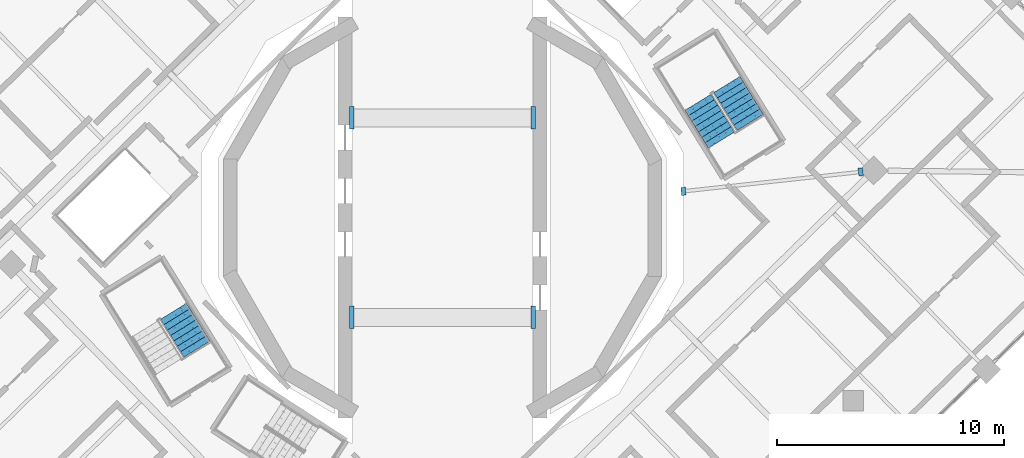
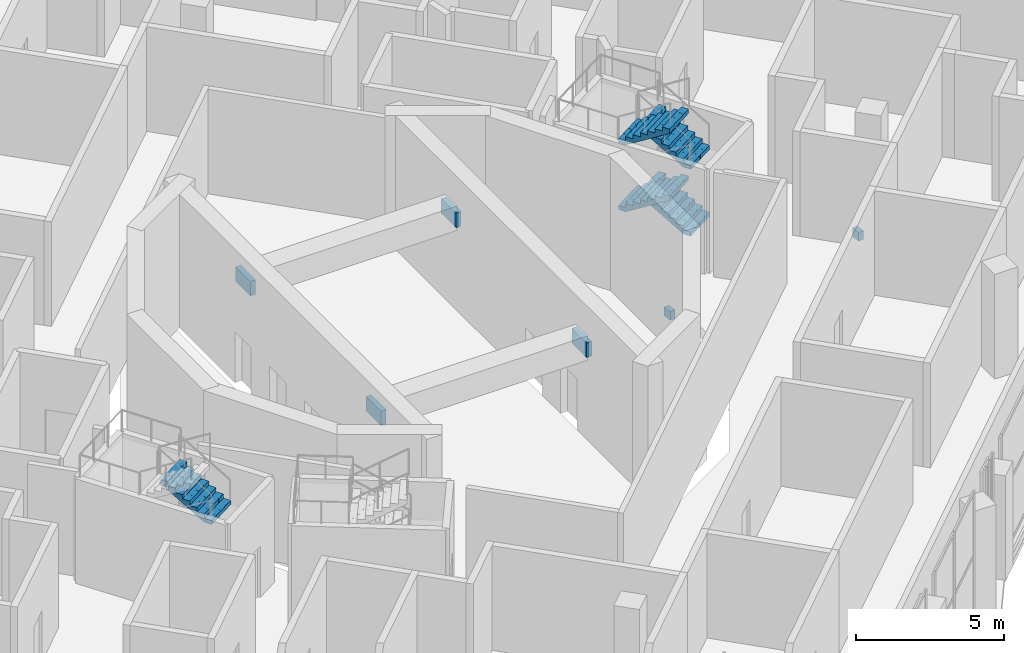
# One storey, part 17 of 20: 6 discrete accessories, 5 stair flights, 2 elements without a shape of their own.
"""IFC4 building model written with IfcOpenShell, lengths in metres."""

from ifc_helpers import new_model, si_unit, direction, frame, origin, place, context, subcontext, project, spatial, polyline, outline, extrude, material, layer, layer_set, type_object, element, aggregate, save


model = new_model("IFC4")

# Units and contexts
model_context = context("Model", 3, precision=1e-05, world=origin(), true_north=direction((0.0, 1.0)))
body_context = subcontext(model_context, "Body", "Model", "MODEL_VIEW")
ifc_project = project(units=[si_unit("LENGTHUNIT", "METRE"), si_unit("AREAUNIT", "SQUARE_METRE"), si_unit("VOLUMEUNIT", "CUBIC_METRE"), si_unit("PLANEANGLEUNIT", "RADIAN"), si_unit("MASSUNIT", "GRAM", prefix="KILO")], contexts=[model_context])

# Site, building, storey
site_placement = place(None, origin())
site = spatial("IfcSite", under=ifc_project, at=site_placement, CompositionType="ELEMENT")
building_placement = place(site_placement, origin())
building = spatial("IfcBuilding", under=site, at=building_placement, Name="Cantera Rosa Tower", CompositionType="ELEMENT")
storey_placement = place(building_placement, frame((0.0, 0.0, 245.0)))
storey = spatial("IfcBuildingStorey", under=building, at=storey_placement, Name="L54", CompositionType="ELEMENT", Elevation=245.0)

# Stair, stair flights
ifc_material_1 = material(Name="Concrete C35/45", Category="concrete")
stair_type = type_object("IfcStairType", Name="EXIT STAIR 1350 DOGLEG", PredefinedType="HALF_TURN_STAIR", material=ifc_material_1)
stair_1_placement = place(storey_placement, origin())
stair_1 = element("IfcStair", 1, at=stair_1_placement, inside=storey, type_object=stair_type, Name="L54 ST-51", PredefinedType="HALF_TURN_STAIR")
ifc_material_2 = material(Name="Concrete C35/45", Category="concrete")
stair_flight_type = type_object("IfcStairFlightType", Name="STAIR FLIGHT 1350 R32x172", PredefinedType="STRAIGHT", material=ifc_material_2)
stair_flight_1_placement = place(storey_placement, frame((13.5732421875, 4.2021484375, 0.0), z_axis=(0.0, 0.0, 1.0), x_axis=(-0.524976585286, 0.851116669383, 0.0)))
stair_flight_1 = element("IfcStairFlight", 2, at=stair_flight_1_placement, type_object=stair_flight_type, Name="ST-51 flight 1", NumberOfRisers=8, NumberOfTreads=7, PredefinedType="STRAIGHT", RiserHeight=0.171875, TreadLength=0.28, context=body_context, shape_type="SweptSolid", body=[
    extrude(outline(polyline([(0.0, 0.0), (0.0, 0.171875), (0.280029296875, 0.171875), (0.280029296875, 0.34375), (0.56005859375, 0.34375), (0.56005859375, 0.515625), (0.840087890625, 0.515625), (0.840087890625, 0.6875), (1.1201171875, 0.6875), (1.1201171875, 0.859375), (1.39990234375, 0.859375), (1.39990234375, 1.03125), (1.679931640625, 1.03125), (1.679931640625, 1.203125), (1.9599609375, 1.203125), (1.9599609375, 1.375), (1.9599609375, 1.02734375), (0.28662109375, 0.0), (0.0, 0.0)])), frame((0.0, 0.675048828125, 0.0), z_axis=(0.0, -1.0, 0.0), x_axis=(1.0, 0.0, 0.0)), (0.0, 0.0, 1.0), 0.3359375),
    extrude(outline(polyline([(0.0, 0.0), (0.0, 0.171875), (0.280029296875, 0.171875), (0.280029296875, 0.34375), (0.56005859375, 0.34375), (0.56005859375, 0.515625), (0.840087890625, 0.515625), (0.840087890625, 0.6875), (1.1201171875, 0.6875), (1.1201171875, 0.859375), (1.39990234375, 0.859375), (1.39990234375, 1.03125), (1.679931640625, 1.03125), (1.679931640625, 1.203125), (1.9599609375, 1.203125), (1.9599609375, 1.375), (1.9599609375, 1.02734375), (0.28662109375, 0.0), (0.0, 0.0)])), frame((0.0, 0.337158203125, 0.0), z_axis=(0.0, -1.0, 0.0), x_axis=(1.0, 0.0, 0.0)), (0.0, 0.0, 1.0), 0.3359375),
    extrude(outline(polyline([(0.0, 0.0), (0.0, 0.171875), (0.280029296875, 0.171875), (0.280029296875, 0.34375), (0.56005859375, 0.34375), (0.56005859375, 0.515625), (0.840087890625, 0.515625), (0.840087890625, 0.6875), (1.1201171875, 0.6875), (1.1201171875, 0.859375), (1.39990234375, 0.859375), (1.39990234375, 1.03125), (1.679931640625, 1.03125), (1.679931640625, 1.203125), (1.9599609375, 1.203125), (1.9599609375, 1.375), (1.9599609375, 1.02734375), (0.28662109375, 0.0), (0.0, 0.0)])), frame((0.0, -0.000732421875, 0.0), z_axis=(0.0, -1.0, 0.0), x_axis=(1.0, 0.0, 0.0)), (0.0, 0.0, 1.0), 0.3359375),
    extrude(outline(polyline([(0.0, 0.0), (0.0, 0.171875), (0.280029296875, 0.171875), (0.280029296875, 0.34375), (0.56005859375, 0.34375), (0.56005859375, 0.515625), (0.840087890625, 0.515625), (0.840087890625, 0.6875), (1.1201171875, 0.6875), (1.1201171875, 0.859375), (1.39990234375, 0.859375), (1.39990234375, 1.03125), (1.679931640625, 1.03125), (1.679931640625, 1.203125), (1.9599609375, 1.203125), (1.9599609375, 1.375), (1.9599609375, 1.02734375), (0.28662109375, 0.0), (0.0, 0.0)])), frame((0.0, -0.338623046875, 0.0), z_axis=(0.0, -1.0, 0.0), x_axis=(1.0, 0.0, 0.0)), (0.0, 0.0, 1.0), 0.3359375),
])
stair_flight_2_placement = place(storey_placement, frame((11.267578125, 5.0830078125, 1.375), z_axis=(0.0, 0.0, 1.0), x_axis=(0.524976585286, -0.851116669383, 0.0)))
stair_flight_2 = element("IfcStairFlight", 3, at=stair_flight_2_placement, type_object=stair_flight_type, Name="ST-51 flight 2", NumberOfRisers=8, NumberOfTreads=7, PredefinedType="STRAIGHT", RiserHeight=0.171875, TreadLength=0.28, context=body_context, shape_type="SweptSolid", body=[
    extrude(outline(polyline([(0.0, 0.0), (0.0, 0.171875), (0.280029296875, 0.171875), (0.280029296875, 0.34375), (0.56005859375, 0.34375), (0.56005859375, 0.515625), (0.840087890625, 0.515625), (0.840087890625, 0.6875), (1.1201171875, 0.6875), (1.1201171875, 0.859375), (1.39990234375, 0.859375), (1.39990234375, 1.03125), (1.679931640625, 1.03125), (1.679931640625, 1.203125), (1.9599609375, 1.203125), (1.9599609375, 1.375), (1.9599609375, 1.02734375), (0.28662109375, 0.0), (0.0, 0.0)])), frame((0.0, 0.675048828125, 0.0), z_axis=(0.0, -1.0, 0.0), x_axis=(1.0, 0.0, 0.0)), (0.0, 0.0, 1.0), 0.3359375),
    extrude(outline(polyline([(0.0, 0.0), (0.0, 0.171875), (0.280029296875, 0.171875), (0.280029296875, 0.34375), (0.56005859375, 0.34375), (0.56005859375, 0.515625), (0.840087890625, 0.515625), (0.840087890625, 0.6875), (1.1201171875, 0.6875), (1.1201171875, 0.859375), (1.39990234375, 0.859375), (1.39990234375, 1.03125), (1.679931640625, 1.03125), (1.679931640625, 1.203125), (1.9599609375, 1.203125), (1.9599609375, 1.375), (1.9599609375, 1.02734375), (0.28662109375, 0.0), (0.0, 0.0)])), frame((0.0, 0.337158203125, 0.0), z_axis=(0.0, -1.0, 0.0), x_axis=(1.0, 0.0, 0.0)), (0.0, 0.0, 1.0), 0.3359375),
    extrude(outline(polyline([(0.0, 0.0), (0.0, 0.171875), (0.280029296875, 0.171875), (0.280029296875, 0.34375), (0.56005859375, 0.34375), (0.56005859375, 0.515625), (0.840087890625, 0.515625), (0.840087890625, 0.6875), (1.1201171875, 0.6875), (1.1201171875, 0.859375), (1.39990234375, 0.859375), (1.39990234375, 1.03125), (1.679931640625, 1.03125), (1.679931640625, 1.203125), (1.9599609375, 1.203125), (1.9599609375, 1.375), (1.9599609375, 1.02734375), (0.28662109375, 0.0), (0.0, 0.0)])), frame((0.0, -0.000732421875, 0.0), z_axis=(0.0, -1.0, 0.0), x_axis=(1.0, 0.0, 0.0)), (0.0, 0.0, 1.0), 0.3359375),
    extrude(outline(polyline([(0.0, 0.0), (0.0, 0.171875), (0.280029296875, 0.171875), (0.280029296875, 0.34375), (0.56005859375, 0.34375), (0.56005859375, 0.515625), (0.840087890625, 0.515625), (0.840087890625, 0.6875), (1.1201171875, 0.6875), (1.1201171875, 0.859375), (1.39990234375, 0.859375), (1.39990234375, 1.03125), (1.679931640625, 1.03125), (1.679931640625, 1.203125), (1.9599609375, 1.203125), (1.9599609375, 1.375), (1.9599609375, 1.02734375), (0.28662109375, 0.0), (0.0, 0.0)])), frame((0.0, -0.338623046875, 0.0), z_axis=(0.0, -1.0, 0.0), x_axis=(1.0, 0.0, 0.0)), (0.0, 0.0, 1.0), 0.3359375),
])
stair_flight_3_placement = place(storey_placement, frame((13.5732421875, 4.2021484375, 2.75), z_axis=(0.0, 0.0, 1.0), x_axis=(-0.524976585286, 0.851116669383, 0.0)))
stair_flight_3 = element("IfcStairFlight", 4, at=stair_flight_3_placement, type_object=stair_flight_type, Name="ST-51 flight 3", NumberOfRisers=8, NumberOfTreads=7, PredefinedType="STRAIGHT", RiserHeight=0.171875, TreadLength=0.28, context=body_context, shape_type="SweptSolid", body=[
    extrude(outline(polyline([(0.0, 0.0), (0.0, 0.171875), (0.280029296875, 0.171875), (0.280029296875, 0.34375), (0.56005859375, 0.34375), (0.56005859375, 0.515625), (0.840087890625, 0.515625), (0.840087890625, 0.6875), (1.1201171875, 0.6875), (1.1201171875, 0.859375), (1.39990234375, 0.859375), (1.39990234375, 1.03125), (1.679931640625, 1.03125), (1.679931640625, 1.203125), (1.9599609375, 1.203125), (1.9599609375, 1.375), (1.9599609375, 1.02734375), (0.28662109375, 0.0), (0.0, 0.0)])), frame((0.0, 0.675048828125, 0.0), z_axis=(0.0, -1.0, 0.0), x_axis=(1.0, 0.0, 0.0)), (0.0, 0.0, 1.0), 0.3359375),
    extrude(outline(polyline([(0.0, 0.0), (0.0, 0.171875), (0.280029296875, 0.171875), (0.280029296875, 0.34375), (0.56005859375, 0.34375), (0.56005859375, 0.515625), (0.840087890625, 0.515625), (0.840087890625, 0.6875), (1.1201171875, 0.6875), (1.1201171875, 0.859375), (1.39990234375, 0.859375), (1.39990234375, 1.03125), (1.679931640625, 1.03125), (1.679931640625, 1.203125), (1.9599609375, 1.203125), (1.9599609375, 1.375), (1.9599609375, 1.02734375), (0.28662109375, 0.0), (0.0, 0.0)])), frame((0.0, 0.337158203125, 0.0), z_axis=(0.0, -1.0, 0.0), x_axis=(1.0, 0.0, 0.0)), (0.0, 0.0, 1.0), 0.3359375),
    extrude(outline(polyline([(0.0, 0.0), (0.0, 0.171875), (0.280029296875, 0.171875), (0.280029296875, 0.34375), (0.56005859375, 0.34375), (0.56005859375, 0.515625), (0.840087890625, 0.515625), (0.840087890625, 0.6875), (1.1201171875, 0.6875), (1.1201171875, 0.859375), (1.39990234375, 0.859375), (1.39990234375, 1.03125), (1.679931640625, 1.03125), (1.679931640625, 1.203125), (1.9599609375, 1.203125), (1.9599609375, 1.375), (1.9599609375, 1.02734375), (0.28662109375, 0.0), (0.0, 0.0)])), frame((0.0, -0.000732421875, 0.0), z_axis=(0.0, -1.0, 0.0), x_axis=(1.0, 0.0, 0.0)), (0.0, 0.0, 1.0), 0.3359375),
    extrude(outline(polyline([(0.0, 0.0), (0.0, 0.171875), (0.280029296875, 0.171875), (0.280029296875, 0.34375), (0.56005859375, 0.34375), (0.56005859375, 0.515625), (0.840087890625, 0.515625), (0.840087890625, 0.6875), (1.1201171875, 0.6875), (1.1201171875, 0.859375), (1.39990234375, 0.859375), (1.39990234375, 1.03125), (1.679931640625, 1.03125), (1.679931640625, 1.203125), (1.9599609375, 1.203125), (1.9599609375, 1.375), (1.9599609375, 1.02734375), (0.28662109375, 0.0), (0.0, 0.0)])), frame((0.0, -0.338623046875, 0.0), z_axis=(0.0, -1.0, 0.0), x_axis=(1.0, 0.0, 0.0)), (0.0, 0.0, 1.0), 0.3359375),
])
stair_flight_4_placement = place(storey_placement, frame((11.267578125, 5.0830078125, 4.125), z_axis=(0.0, 0.0, 1.0), x_axis=(0.524976585286, -0.851116669383, 0.0)))
stair_flight_4 = element("IfcStairFlight", 5, at=stair_flight_4_placement, type_object=stair_flight_type, Name="ST-51 flight 4", NumberOfRisers=8, NumberOfTreads=7, PredefinedType="STRAIGHT", RiserHeight=0.171875, TreadLength=0.28, context=body_context, shape_type="SweptSolid", body=[
    extrude(outline(polyline([(0.0, 0.0), (0.0, 0.171875), (0.280029296875, 0.171875), (0.280029296875, 0.34375), (0.56005859375, 0.34375), (0.56005859375, 0.515625), (0.840087890625, 0.515625), (0.840087890625, 0.6875), (1.1201171875, 0.6875), (1.1201171875, 0.859375), (1.39990234375, 0.859375), (1.39990234375, 1.03125), (1.679931640625, 1.03125), (1.679931640625, 1.203125), (1.9599609375, 1.203125), (1.9599609375, 1.375), (1.9599609375, 1.02734375), (0.28662109375, 0.0), (0.0, 0.0)])), frame((0.0, 0.675048828125, 0.0), z_axis=(0.0, -1.0, 0.0), x_axis=(1.0, 0.0, 0.0)), (0.0, 0.0, 1.0), 0.3359375),
    extrude(outline(polyline([(0.0, 0.0), (0.0, 0.171875), (0.280029296875, 0.171875), (0.280029296875, 0.34375), (0.56005859375, 0.34375), (0.56005859375, 0.515625), (0.840087890625, 0.515625), (0.840087890625, 0.6875), (1.1201171875, 0.6875), (1.1201171875, 0.859375), (1.39990234375, 0.859375), (1.39990234375, 1.03125), (1.679931640625, 1.03125), (1.679931640625, 1.203125), (1.9599609375, 1.203125), (1.9599609375, 1.375), (1.9599609375, 1.02734375), (0.28662109375, 0.0), (0.0, 0.0)])), frame((0.0, 0.337158203125, 0.0), z_axis=(0.0, -1.0, 0.0), x_axis=(1.0, 0.0, 0.0)), (0.0, 0.0, 1.0), 0.3359375),
    extrude(outline(polyline([(0.0, 0.0), (0.0, 0.171875), (0.280029296875, 0.171875), (0.280029296875, 0.34375), (0.56005859375, 0.34375), (0.56005859375, 0.515625), (0.840087890625, 0.515625), (0.840087890625, 0.6875), (1.1201171875, 0.6875), (1.1201171875, 0.859375), (1.39990234375, 0.859375), (1.39990234375, 1.03125), (1.679931640625, 1.03125), (1.679931640625, 1.203125), (1.9599609375, 1.203125), (1.9599609375, 1.375), (1.9599609375, 1.02734375), (0.28662109375, 0.0), (0.0, 0.0)])), frame((0.0, -0.000732421875, 0.0), z_axis=(0.0, -1.0, 0.0), x_axis=(1.0, 0.0, 0.0)), (0.0, 0.0, 1.0), 0.3359375),
    extrude(outline(polyline([(0.0, 0.0), (0.0, 0.171875), (0.280029296875, 0.171875), (0.280029296875, 0.34375), (0.56005859375, 0.34375), (0.56005859375, 0.515625), (0.840087890625, 0.515625), (0.840087890625, 0.6875), (1.1201171875, 0.6875), (1.1201171875, 0.859375), (1.39990234375, 0.859375), (1.39990234375, 1.03125), (1.679931640625, 1.03125), (1.679931640625, 1.203125), (1.9599609375, 1.203125), (1.9599609375, 1.375), (1.9599609375, 1.02734375), (0.28662109375, 0.0), (0.0, 0.0)])), frame((0.0, -0.338623046875, 0.0), z_axis=(0.0, -1.0, 0.0), x_axis=(1.0, 0.0, 0.0)), (0.0, 0.0, 1.0), 0.3359375),
])
aggregate(stair_1, [stair_flight_1, stair_flight_2, stair_flight_3, stair_flight_4])

# Stair, stair flight
stair_2_placement = place(storey_placement, origin())
stair_2 = element("IfcStair", 6, at=stair_2_placement, inside=storey, type_object=stair_type, Name="L54 ST-52", PredefinedType="HALF_TURN_STAIR")
stair_flight_5_placement = place(storey_placement, frame((-10.82666015625, -5.7978515625, 2.75), z_axis=(0.0, 0.0, 1.0), x_axis=(-0.524976585286, 0.851116669383, 0.0)))
stair_flight_5 = element("IfcStairFlight", 7, at=stair_flight_5_placement, type_object=stair_flight_type, Name="ST-52 flight 3", NumberOfRisers=8, NumberOfTreads=7, PredefinedType="STRAIGHT", RiserHeight=0.171875, TreadLength=0.28, context=body_context, shape_type="SweptSolid", body=[
    extrude(outline(polyline([(0.0, 0.0), (0.0, 0.171875), (0.280029296875, 0.171875), (0.280029296875, 0.34375), (0.56005859375, 0.34375), (0.56005859375, 0.515625), (0.840087890625, 0.515625), (0.840087890625, 0.6875), (1.1201171875, 0.6875), (1.1201171875, 0.859375), (1.39990234375, 0.859375), (1.39990234375, 1.03125), (1.679931640625, 1.03125), (1.679931640625, 1.203125), (1.9599609375, 1.203125), (1.9599609375, 1.375), (1.9599609375, 1.02734375), (0.28662109375, 0.0), (0.0, 0.0)])), frame((0.0, 0.675048828125, 0.0), z_axis=(0.0, -1.0, 0.0), x_axis=(1.0, 0.0, 0.0)), (0.0, 0.0, 1.0), 0.3359375),
    extrude(outline(polyline([(0.0, 0.0), (0.0, 0.171875), (0.280029296875, 0.171875), (0.280029296875, 0.34375), (0.56005859375, 0.34375), (0.56005859375, 0.515625), (0.840087890625, 0.515625), (0.840087890625, 0.6875), (1.1201171875, 0.6875), (1.1201171875, 0.859375), (1.39990234375, 0.859375), (1.39990234375, 1.03125), (1.679931640625, 1.03125), (1.679931640625, 1.203125), (1.9599609375, 1.203125), (1.9599609375, 1.375), (1.9599609375, 1.02734375), (0.28662109375, 0.0), (0.0, 0.0)])), frame((0.0, 0.337158203125, 0.0), z_axis=(0.0, -1.0, 0.0), x_axis=(1.0, 0.0, 0.0)), (0.0, 0.0, 1.0), 0.3359375),
    extrude(outline(polyline([(0.0, 0.0), (0.0, 0.171875), (0.280029296875, 0.171875), (0.280029296875, 0.34375), (0.56005859375, 0.34375), (0.56005859375, 0.515625), (0.840087890625, 0.515625), (0.840087890625, 0.6875), (1.1201171875, 0.6875), (1.1201171875, 0.859375), (1.39990234375, 0.859375), (1.39990234375, 1.03125), (1.679931640625, 1.03125), (1.679931640625, 1.203125), (1.9599609375, 1.203125), (1.9599609375, 1.375), (1.9599609375, 1.02734375), (0.28662109375, 0.0), (0.0, 0.0)])), frame((0.0, -0.000732421875, 0.0), z_axis=(0.0, -1.0, 0.0), x_axis=(1.0, 0.0, 0.0)), (0.0, 0.0, 1.0), 0.3359375),
    extrude(outline(polyline([(0.0, 0.0), (0.0, 0.171875), (0.280029296875, 0.171875), (0.280029296875, 0.34375), (0.56005859375, 0.34375), (0.56005859375, 0.515625), (0.840087890625, 0.515625), (0.840087890625, 0.6875), (1.1201171875, 0.6875), (1.1201171875, 0.859375), (1.39990234375, 0.859375), (1.39990234375, 1.03125), (1.679931640625, 1.03125), (1.679931640625, 1.203125), (1.9599609375, 1.203125), (1.9599609375, 1.375), (1.9599609375, 1.02734375), (0.28662109375, 0.0), (0.0, 0.0)])), frame((0.0, -0.338623046875, 0.0), z_axis=(0.0, -1.0, 0.0), x_axis=(1.0, 0.0, 0.0)), (0.0, 0.0, 1.0), 0.3359375),
])
aggregate(stair_2, [stair_flight_5])

# Discrete accessories
ifc_material_3 = material(Name="Steel ASTM A992 (Fy 345 MPa)", Category="steel")
ifc_layer = layer(ifc_material_3, 0.0400390625)
ifc_layer_set = layer_set([ifc_layer], Name="STEEL BEARING PLATE 40")
discrete_accessory_type = type_object("IfcDiscreteAccessoryType", Name="STEEL BEARING PLATE 40", PredefinedType="ANCHORPLATE", material=ifc_layer_set)
discrete_accessory_1_placement = place(storey_placement, frame((0.0, 0.0, 3.5)))
element("IfcDiscreteAccessory", 8, at=discrete_accessory_1_placement, inside=storey, type_object=discrete_accessory_type, Name="BEARING PLATE CPL-L54-1 end 1", PredefinedType="ANCHORPLATE", context=body_context, shape_type="SweptSolid", body=[
    extrude(outline(polyline([(-3.89990234375, -3.89990234375), (-4.10009765625, -3.89990234375), (-4.10009765625, -4.89990234375), (-3.89990234375, -4.89990234375), (-3.89990234375, -3.89990234375)])), origin(), (0.0, 0.0, 1.0), 0.60009765625),
])
discrete_accessory_2_placement = place(storey_placement, frame((0.0, 0.0, 3.5)))
element("IfcDiscreteAccessory", 9, at=discrete_accessory_2_placement, inside=storey, type_object=discrete_accessory_type, Name="BEARING PLATE CPL-L54-1 end 2", PredefinedType="ANCHORPLATE", context=body_context, shape_type="SweptSolid", body=[
    extrude(outline(polyline([(3.89990234375, -4.89990234375), (4.10009765625, -4.89990234375), (4.10009765625, -3.89990234375), (3.89990234375, -3.89990234375), (3.89990234375, -4.89990234375)])), origin(), (0.0, 0.0, 1.0), 0.60009765625),
])
discrete_accessory_3_placement = place(storey_placement, frame((0.0, 0.0, 3.5)))
element("IfcDiscreteAccessory", 10, at=discrete_accessory_3_placement, inside=storey, type_object=discrete_accessory_type, Name="BEARING PLATE CPL-L54-2 end 1", PredefinedType="ANCHORPLATE", context=body_context, shape_type="SweptSolid", body=[
    extrude(outline(polyline([(-3.89990234375, 4.89990234375), (-4.10009765625, 4.89990234375), (-4.10009765625, 3.89990234375), (-3.89990234375, 3.89990234375), (-3.89990234375, 4.89990234375)])), origin(), (0.0, 0.0, 1.0), 0.60009765625),
])
discrete_accessory_4_placement = place(storey_placement, frame((0.0, 0.0, 3.5)))
element("IfcDiscreteAccessory", 11, at=discrete_accessory_4_placement, inside=storey, type_object=discrete_accessory_type, Name="BEARING PLATE CPL-L54-2 end 2", PredefinedType="ANCHORPLATE", context=body_context, shape_type="SweptSolid", body=[
    extrude(outline(polyline([(3.89990234375, 3.89990234375), (4.10009765625, 3.89990234375), (4.10009765625, 4.89990234375), (3.89990234375, 4.89990234375), (3.89990234375, 3.89990234375)])), origin(), (0.0, 0.0, 1.0), 0.60009765625),
])
discrete_accessory_5_placement = place(storey_placement, frame((0.0, 0.0, -0.860107421875)))
element("IfcDiscreteAccessory", 12, at=discrete_accessory_5_placement, inside=storey, type_object=discrete_accessory_type, Name="BEARING PLATE PG-Z4-01 end 1 L54", PredefinedType="ANCHORPLATE", context=body_context, shape_type="SweptSolid", body=[
    extrude(outline(polyline([(18.362548828125, 1.828125), (18.5615234375, 1.849853515625), (18.52294921875, 2.20166015625), (18.32421875, 2.179931640625), (18.362548828125, 1.828125)])), origin(), (0.0, 0.0, 1.0), 0.360107421875),
])
discrete_accessory_6_placement = place(storey_placement, frame((0.0, 0.0, -0.860107421875)))
element("IfcDiscreteAccessory", 13, at=discrete_accessory_6_placement, inside=storey, type_object=discrete_accessory_type, Name="BEARING PLATE PG-Z4-01 end 2 L54", PredefinedType="ANCHORPLATE", context=body_context, shape_type="SweptSolid", body=[
    extrude(outline(polyline([(10.705322265625, 1.34765625), (10.506591796875, 1.325927734375), (10.544921875, 0.97412109375), (10.743896484375, 0.99560546875), (10.705322265625, 1.34765625)])), origin(), (0.0, 0.0, 1.0), 0.360107421875),
])

save(model, "model.ifc")
